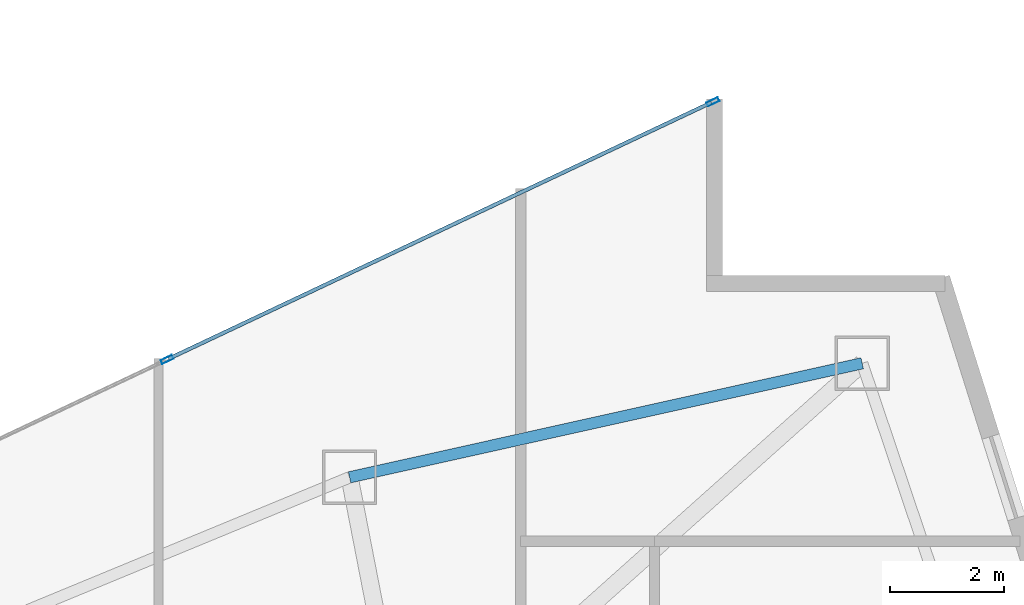
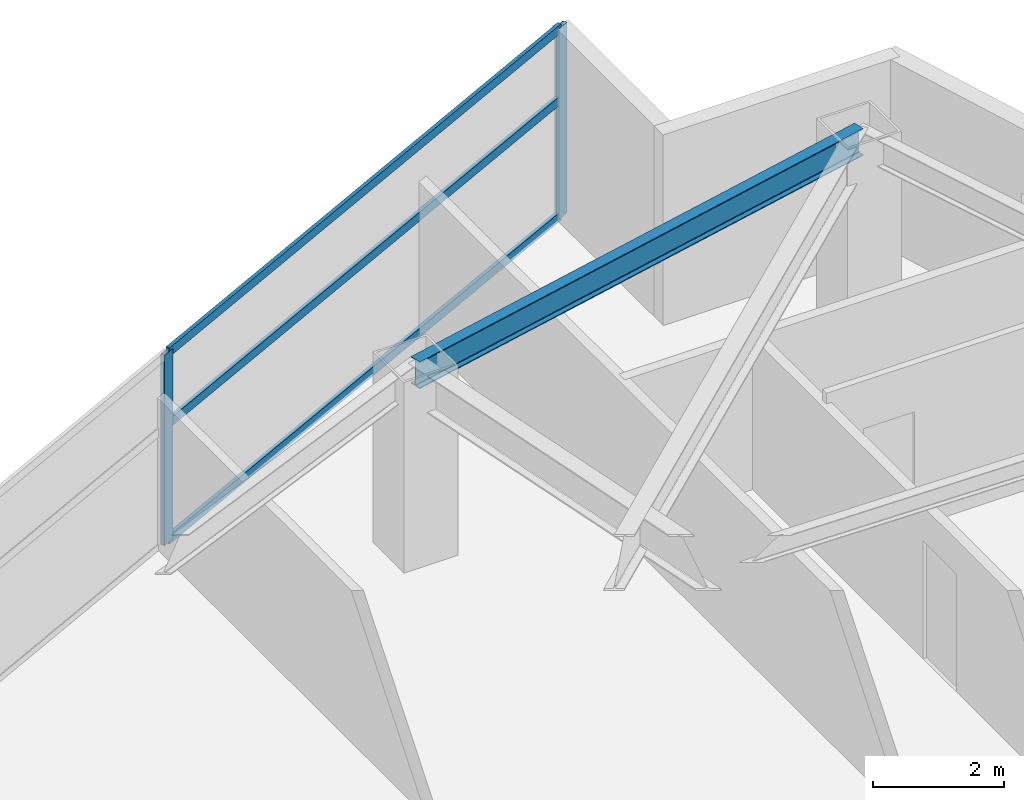
# One storey, part 20 of 30: 5 members, 1 beam, 1 element without a shape of its own.
"""IFC4 building model written with IfcOpenShell, lengths in metres."""

from ifc_helpers import new_model, si_unit, direction, frame, origin, origin_2d, place, context, subcontext, project, spatial, hollow_rectangle, i_section, extrude, material, layer, layer_set, material_profile, profile_set, type_object, element, aggregate, save


model = new_model("IFC4")

# Units and contexts
model_context = context("Model", 3, precision=1e-05, world=origin(), true_north=direction((0.0, 1.0)))
body_context = subcontext(model_context, "Body", "Model", "MODEL_VIEW")
ifc_project = project(units=[si_unit("LENGTHUNIT", "METRE"), si_unit("AREAUNIT", "SQUARE_METRE"), si_unit("VOLUMEUNIT", "CUBIC_METRE"), si_unit("PLANEANGLEUNIT", "RADIAN"), si_unit("MASSUNIT", "GRAM", prefix="KILO")], contexts=[model_context])

# Site, building, storey
site_placement = place(None, origin())
site = spatial("IfcSite", under=ifc_project, at=site_placement, CompositionType="ELEMENT")
building_placement = place(site_placement, origin())
building = spatial("IfcBuilding", under=site, at=building_placement, Name="Calvorn Quay Hotel", CompositionType="ELEMENT")
storey_placement = place(building_placement, frame((0.0, 0.0, 54.60009765625)))
storey = spatial("IfcBuildingStorey", under=building, at=storey_placement, Name="L12", CompositionType="ELEMENT", Elevation=54.60009765625)

# Beam
ifc_material_1 = material(Name="Steel Q355B", Category="steel")
ifc_material_profile_1 = material_profile(ifc_material_1, i_section(OverallWidth=0.199951171875, OverallDepth=0.5, WebThickness=0.010009765625, FlangeThickness=0.01611328125, FilletRadius=0.01611328125, at=origin_2d()), Name="HN500x200x10x16")
ifc_profile_set_1 = profile_set([ifc_material_profile_1], Name="Steel Q355B")
beam_type = type_object("IfcBeamType", Name="BM-SPANDREL-Z1", PredefinedType="SPANDREL", material=ifc_profile_set_1)
beam_placement = place(storey_placement, frame((52.990966796875, 33.39990234375, 3.289794921875), z_axis=(-0.976140886259, -0.217138136156, 0.0), x_axis=(0.217138136156, -0.976140886259, 0.0)))
element("IfcBeam", 1, at=beam_placement, inside=storey, type_object=beam_type, Name="Beam BSP-L12-E3", PredefinedType="SPANDREL", context=body_context, shape_type="SweptSolid", body=[
    extrude(i_section(OverallWidth=0.199951171875, OverallDepth=0.5, WebThickness=0.010009765625, FlangeThickness=0.01611328125, FilletRadius=0.01611328125, at=origin_2d()), origin(), (0.0, 0.0, 1.0), 9.210693359375),
])

# Curtain wall, members
ifc_material_2 = material(Name="Pale Anodised Aluminium and Low-E Glass", Category="aluminium")
ifc_layer = layer(ifc_material_2, 0.219970703125)
ifc_layer_set = layer_set([ifc_layer], Name="CW-SYS-Z1")
curtain_wall_type = type_object("IfcCurtainWallType", Name="CW-SYS-Z1", PredefinedType="NOTDEFINED", material=ifc_layer_set)
curtain_wall_placement = place(storey_placement, origin())
curtain_wall = element("IfcCurtainWall", 2, at=curtain_wall_placement, inside=storey, type_object=curtain_wall_type, Name="Inner Court Curtain Wall L12-NE1", PredefinedType="NOTDEFINED")
ifc_material_3 = material(Name="Pale Anodised Aluminium 6063-T6", Category="aluminium")
ifc_material_profile_2 = material_profile(ifc_material_3, hollow_rectangle(XDim=0.074951171875, YDim=0.219970703125, WallThickness=0.00439453125, at=origin_2d()), Name="ALU-M220x75x4.5")
ifc_profile_set_2 = profile_set([ifc_material_profile_2], Name="Pale Anodised Aluminium 6063-T6")
member_type_1 = type_object("IfcMemberType", Name="CW-SYS-Z1-MUL", PredefinedType="MULLION", material=ifc_profile_set_2)
member_1_placement = place(storey_placement, frame((50.372802734375, 37.9873046875, 0.0), z_axis=(0.0, 0.0, 1.0), x_axis=(0.427006305415, -0.904248646743, 0.0)))
member_1 = element("IfcMember", 3, at=member_1_placement, type_object=member_type_1, Name="CW-L12-NE1 mullion 1", PredefinedType="MULLION", context=body_context, shape_type="SweptSolid", body=[
    extrude(hollow_rectangle(XDim=0.074951171875, YDim=0.219970703125, WallThickness=0.00439453125, at=origin_2d()), origin(), (0.0, 0.0, 1.0), 3.559814453125),
])
member_2_placement = place(storey_placement, frame((40.800048828125, 33.466552734375, 0.0), z_axis=(0.0, 0.0, 1.0), x_axis=(0.427006305415, -0.904248646743, 0.0)))
member_2 = element("IfcMember", 4, at=member_2_placement, type_object=member_type_1, Name="CW-L12-NE1 mullion 2", PredefinedType="MULLION", context=body_context, shape_type="SweptSolid", body=[
    extrude(hollow_rectangle(XDim=0.074951171875, YDim=0.219970703125, WallThickness=0.00439453125, at=origin_2d()), origin(), (0.0, 0.0, 1.0), 3.559814453125),
])
ifc_material_4 = material(Name="Pale Anodised Aluminium 6063-T6", Category="aluminium")
ifc_material_profile_3 = material_profile(ifc_material_4, hollow_rectangle(XDim=0.06494140625, YDim=0.1650390625, WallThickness=0.00341796875, at=origin_2d()), Name="ALU-T165x65x3.5")
ifc_profile_set_3 = profile_set([ifc_material_profile_3], Name="Pale Anodised Aluminium 6063-T6")
member_type_2 = type_object("IfcMemberType", Name="CW-SYS-Z1-TRN", PredefinedType="USERDEFINED", material=ifc_profile_set_3)
member_3_placement = place(storey_placement, frame((50.345703125, 37.974365234375, 0.02978515625), z_axis=(-0.904248646746, -0.427006305408, 0.0), x_axis=(0.427006305408, -0.904248646746, 0.0)))
member_3 = element("IfcMember", 5, at=member_3_placement, type_object=member_type_2, Name="CW-L12-NE1 transom 1.1", ObjectType="TRANSOM", PredefinedType="USERDEFINED", context=body_context, shape_type="SweptSolid", body=[
    extrude(hollow_rectangle(XDim=0.06494140625, YDim=0.1650390625, WallThickness=0.00341796875, at=origin_2d()), origin(), (0.0, 0.0, 1.0), 10.5263671875),
])
member_4_placement = place(storey_placement, frame((50.345703125, 37.974365234375, 2.199951171875), z_axis=(-0.904248646746, -0.427006305408, 0.0), x_axis=(0.427006305408, -0.904248646746, 0.0)))
member_4 = element("IfcMember", 6, at=member_4_placement, type_object=member_type_2, Name="CW-L12-NE1 transom 1.2", ObjectType="TRANSOM", PredefinedType="USERDEFINED", context=body_context, shape_type="SweptSolid", body=[
    extrude(hollow_rectangle(XDim=0.06494140625, YDim=0.1650390625, WallThickness=0.00341796875, at=origin_2d()), origin(), (0.0, 0.0, 1.0), 10.5263671875),
])
member_5_placement = place(storey_placement, frame((50.345703125, 37.974365234375, 3.52978515625), z_axis=(-0.904248646746, -0.427006305408, 0.0), x_axis=(0.427006305408, -0.904248646746, 0.0)))
member_5 = element("IfcMember", 7, at=member_5_placement, type_object=member_type_2, Name="CW-L12-NE1 transom 1.3", ObjectType="TRANSOM", PredefinedType="USERDEFINED", context=body_context, shape_type="SweptSolid", body=[
    extrude(hollow_rectangle(XDim=0.06494140625, YDim=0.1650390625, WallThickness=0.00341796875, at=origin_2d()), origin(), (0.0, 0.0, 1.0), 10.5263671875),
])
aggregate(curtain_wall, [member_1, member_2, member_3, member_4, member_5])

save(model, "model.ifc")
